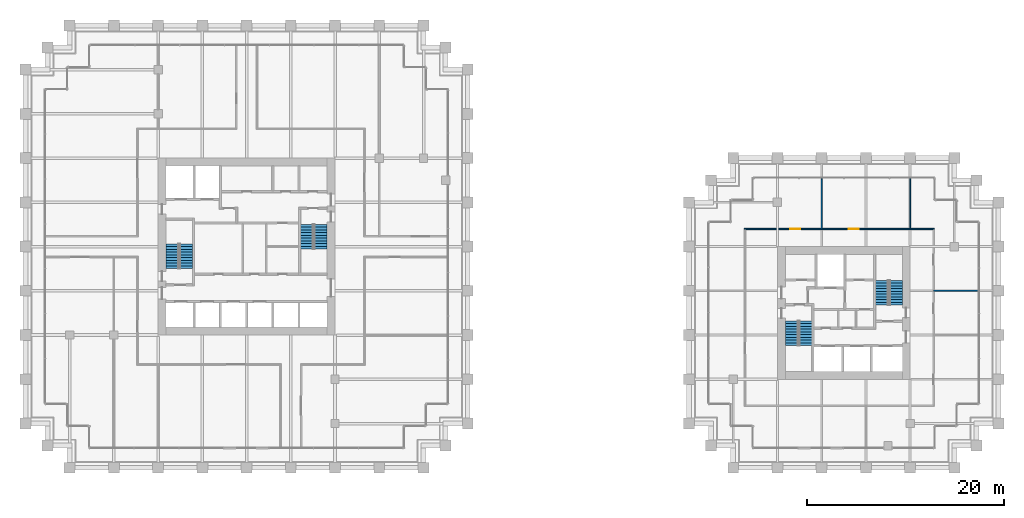
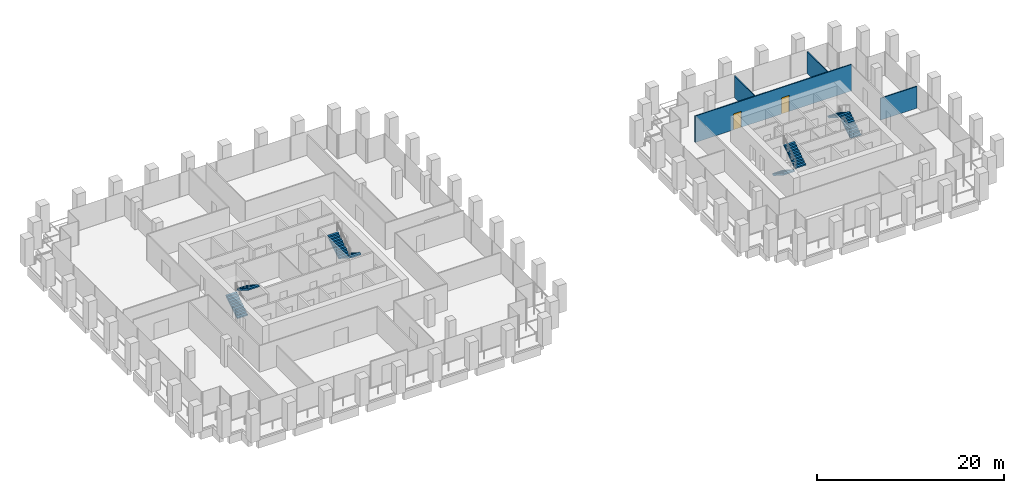
# One storey, part 53 of 54: 8 stair flights, 4 walls, 2 doors, 2 openings, 4 elements without a shape of their own.
"""IFC4 building model written with IfcOpenShell, lengths in metres."""

from ifc_helpers import new_model, si_unit, direction, frame, frame_2d, origin, place, context, subcontext, project, spatial, polyline, rectangle, outline, extrude, material, layer, layer_set, type_object, element, fill, aggregate, save


model = new_model("IFC4")

# Units and contexts
model_context = context("Model", 3, precision=1e-05, world=origin(), true_north=direction((0.0, 1.0)))
body_context = subcontext(model_context, "Body", "Model", "MODEL_VIEW")
ifc_project = project(units=[si_unit("LENGTHUNIT", "METRE"), si_unit("AREAUNIT", "SQUARE_METRE"), si_unit("VOLUMEUNIT", "CUBIC_METRE"), si_unit("PLANEANGLEUNIT", "RADIAN"), si_unit("MASSUNIT", "GRAM", prefix="KILO")], contexts=[model_context])

# Site, building, storey
site_placement = place(None, origin())
site = spatial("IfcSite", under=ifc_project, at=site_placement, CompositionType="ELEMENT")
building_placement = place(site_placement, origin())
building = spatial("IfcBuilding", under=site, at=building_placement, Name="Altepetl Exchange Towers", CompositionType="ELEMENT")
storey_placement = place(building_placement, frame((0.0, 0.0, 61.800048828125)))
storey = spatial("IfcBuildingStorey", under=building, at=storey_placement, Name="L14", CompositionType="ELEMENT", Elevation=61.800048828125)

# Wall
ifc_material_1 = material(Name="Gypsum board on steel studs", Category="steel")
ifc_layer = layer(ifc_material_1, 0.125)
ifc_layer_set = layer_set([ifc_layer], Name="Gypsum board on steel studs")
wall_type = type_object("IfcWallType", Name="Partition 125 gypsum board on steel studs", PredefinedType="PARTITIONING", material=ifc_layer_set)
wall_1_placement = place(storey_placement, frame((119.39990234375, 45.0, 0.0)))
element("IfcWall", 1, at=wall_1_placement, inside=storey, type_object=wall_type, Name="wall:B:L14:P04", PredefinedType="PARTITIONING", context=body_context, shape_type="SweptSolid", body=[
    extrude(rectangle(XDim=4.5, YDim=0.125, at=frame_2d((2.25, 0.0))), origin(), (0.0, 0.0, 1.0), 2.850830078125),
])

# Wall, openings, doors
wall_2_placement = place(storey_placement, frame((100.137451171875, 51.300048828125, 0.0)))
wall_2 = element("IfcWall", 2, at=wall_2_placement, inside=storey, type_object=wall_type, Name="wall:B:L14:P05", PredefinedType="PARTITIONING", context=body_context, shape_type="SweptSolid", body=[
    extrude(rectangle(XDim=19.324951171875, YDim=0.125, at=frame_2d((9.66259765625, 0.0))), origin(), (0.0, 0.0, 1.0), 3.449951171875),
])
opening_1_placement = place(wall_2_placement, frame((10.619384765625, 0.0, 0.0)))
opening_1 = element("IfcOpeningElement", 3, at=opening_1_placement, cuts=wall_2, Name="Opening L14.B05", PredefinedType="OPENING", context=body_context, shape_type="SweptSolid", body=[
    extrude(rectangle(XDim=1.0, YDim=2.10009765625, at=frame_2d((0.5, 1.050048828125))), frame((0.0, 0.072509765625, 0.0), z_axis=(0.0, -1.0, 0.0), x_axis=(1.0, 0.0, 0.0)), (0.0, 0.0, 1.0), 0.14501953125),
])
opening_2_placement = place(wall_2_placement, frame((4.6904296875, 0.0, 0.0)))
opening_2 = element("IfcOpeningElement", 4, at=opening_2_placement, cuts=wall_2, Name="Opening L14.B06", PredefinedType="OPENING", context=body_context, shape_type="SweptSolid", body=[
    extrude(rectangle(XDim=1.0, YDim=2.10009765625, at=frame_2d((0.5, 1.050048828125))), frame((0.0, 0.072509765625, 0.0), z_axis=(0.0, -1.0, 0.0), x_axis=(1.0, 0.0, 0.0)), (0.0, 0.0, 1.0), 0.14501953125),
])
ifc_material_2 = material(Name="Steel and timber fire door", Category="steel")
door_type = type_object("IfcDoorType", Name="Fire door 1000 x 2100 single leaf", OperationType="SINGLE_SWING_LEFT", PredefinedType="DOOR", material=ifc_material_2)
door_1_placement = place(opening_1_placement, origin())
door_1 = element("IfcDoor", 5, at=door_1_placement, inside=storey, type_object=door_type, Name="door:B:L14:05", OperationType="SINGLE_SWING_LEFT", OverallHeight=2.10009765625, OverallWidth=1.0, PredefinedType="DOOR", context=body_context, shape_type="SweptSolid", body=[
    extrude(rectangle(XDim=1.0, YDim=2.10009765625, at=frame_2d((0.5, 1.050048828125))), frame((0.0, 0.02490234375, 0.0), z_axis=(0.0, -1.0, 0.0), x_axis=(1.0, 0.0, 0.0)), (0.0, 0.0, 1.0), 0.050048828125),
])
fill(opening_1, door_1)
door_2_placement = place(opening_2_placement, frame((1.0, 0.0, 0.0), x_axis=(-1.0, 0.0, 0.0)))
door_2 = element("IfcDoor", 6, at=door_2_placement, inside=storey, type_object=door_type, Name="door:B:L14:06", OperationType="SINGLE_SWING_RIGHT", OverallHeight=2.10009765625, OverallWidth=1.0, PredefinedType="DOOR", context=body_context, shape_type="SweptSolid", body=[
    extrude(rectangle(XDim=1.0, YDim=2.10009765625, at=frame_2d((0.5, 1.050048828125))), frame((0.0, 0.02490234375, 0.0), z_axis=(0.0, -1.0, 0.0), x_axis=(1.0, 0.0, 0.0)), (0.0, 0.0, 1.0), 0.050048828125),
])
fill(opening_2, door_2)

# Walls
for number, where, z_axis, x_axis, name in (
    (7, (108.0, 51.300048828125, 0.0), (0.0, 0.0, 1.0), (0.0, 1.0, 0.0), "wall:B:L14:P07"),
    (8, (117.0, 51.300048828125, 0.0), (0.0, 0.0, 1.0), (0.0, 1.0, 0.0), "wall:B:L14:P09"),
):
    element("IfcWall", number, at=place(storey_placement, frame(where, z_axis=z_axis, x_axis=x_axis)), inside=storey, type_object=wall_type, Name=name, PredefinedType="PARTITIONING", context=body_context, shape_type="SweptSolid", body=[
        extrude(rectangle(XDim=5.099853515625, YDim=0.125, at=frame_2d((2.5498046875, 0.0))), origin(), (0.0, 0.0, 1.0), 2.850830078125),
    ])

# Stair, stair flights
ifc_material_3 = material(Name="Concrete C40/50", Category="concrete")
stair_type = type_object("IfcStairType", Name="Exit stair 1300 flights dogleg", PredefinedType="HALF_TURN_STAIR", material=ifc_material_3)
stair_1_placement = place(storey_placement, origin())
stair_1 = element("IfcStair", 9, at=stair_1_placement, inside=storey, type_object=stair_type, Name="Exit stair 1", PredefinedType="HALF_TURN_STAIR")
stair_flight_type = type_object("IfcStairFlightType", Name="Stair flight 1300 wide", PredefinedType="STRAIGHT", material=ifc_material_3)
stair_flight_1_placement = place(storey_placement, frame((41.949951171875, 47.25, 0.0), z_axis=(0.0, 0.0, 1.0), x_axis=(0.0, 1.0, 0.0)))
stair_flight_1 = element("IfcStairFlight", 10, at=stair_flight_1_placement, type_object=stair_flight_type, Name="ST-A1c flight 1", NumberOfRisers=10, NumberOfTreads=9, PredefinedType="STRAIGHT", RiserHeight=0.18, TreadLength=0.28, context=body_context, shape_type="SweptSolid", body=[
    extrude(outline(polyline([(0.0, 0.0), (0.0, 0.179931640625), (0.280029296875, 0.179931640625), (0.280029296875, 0.360107421875), (0.56005859375, 0.360107421875), (0.56005859375, 0.5400390625), (0.840087890625, 0.5400390625), (0.840087890625, 0.719970703125), (1.1201171875, 0.719970703125), (1.1201171875, 0.89990234375), (1.39990234375, 0.89990234375), (1.39990234375, 1.080078125), (1.679931640625, 1.080078125), (1.679931640625, 1.260009765625), (1.9599609375, 1.260009765625), (1.9599609375, 1.43994140625), (2.239990234375, 1.43994140625), (2.239990234375, 1.6201171875), (2.52001953125, 1.6201171875), (2.52001953125, 1.800048828125), (2.52001953125, 1.44189453125), (0.277099609375, 0.0), (0.0, 0.0)])), frame((0.0, 0.64990234375, 0.0), z_axis=(0.0, -1.0, 0.0), x_axis=(1.0, 0.0, 0.0)), (0.0, 0.0, 1.0), 1.300048828125),
])
stair_flight_2_placement = place(storey_placement, frame((43.35009765625, 49.77001953125, 1.800048828125), z_axis=(0.0, 0.0, 1.0), x_axis=(0.0, -1.0, 0.0)))
stair_flight_2 = element("IfcStairFlight", 11, at=stair_flight_2_placement, type_object=stair_flight_type, Name="ST-A1c flight 2", NumberOfRisers=10, NumberOfTreads=9, PredefinedType="STRAIGHT", RiserHeight=0.18, TreadLength=0.28, context=body_context, shape_type="SweptSolid", body=[
    extrude(outline(polyline([(0.0, 0.0), (0.0, 0.179931640625), (0.280029296875, 0.179931640625), (0.280029296875, 0.360107421875), (0.56005859375, 0.360107421875), (0.56005859375, 0.5400390625), (0.840087890625, 0.5400390625), (0.840087890625, 0.719970703125), (1.1201171875, 0.719970703125), (1.1201171875, 0.89990234375), (1.39990234375, 0.89990234375), (1.39990234375, 1.080078125), (1.679931640625, 1.080078125), (1.679931640625, 1.260009765625), (1.9599609375, 1.260009765625), (1.9599609375, 1.43994140625), (2.239990234375, 1.43994140625), (2.239990234375, 1.6201171875), (2.52001953125, 1.6201171875), (2.52001953125, 1.800048828125), (2.52001953125, 1.44189453125), (0.277099609375, 0.0), (0.0, 0.0)])), frame((0.0, 0.64990234375, 0.0), z_axis=(0.0, -1.0, 0.0), x_axis=(1.0, 0.0, 0.0)), (0.0, 0.0, 1.0), 1.300048828125),
])
aggregate(stair_1, [stair_flight_1, stair_flight_2])

stair_2_placement = place(storey_placement, origin())
stair_2 = element("IfcStair", 12, at=stair_2_placement, inside=storey, type_object=stair_type, Name="Exit stair 2", PredefinedType="HALF_TURN_STAIR")
stair_flight_3_placement = place(storey_placement, frame((57.050048828125, 51.75, 0.0), z_axis=(0.0, 0.0, 1.0), x_axis=(0.0, -1.0, 0.0)))
stair_flight_3 = element("IfcStairFlight", 13, at=stair_flight_3_placement, type_object=stair_flight_type, Name="ST-A2c flight 1", NumberOfRisers=10, NumberOfTreads=9, PredefinedType="STRAIGHT", RiserHeight=0.18, TreadLength=0.28, context=body_context, shape_type="SweptSolid", body=[
    extrude(outline(polyline([(0.0, 0.0), (0.0, 0.179931640625), (0.280029296875, 0.179931640625), (0.280029296875, 0.360107421875), (0.56005859375, 0.360107421875), (0.56005859375, 0.5400390625), (0.840087890625, 0.5400390625), (0.840087890625, 0.719970703125), (1.1201171875, 0.719970703125), (1.1201171875, 0.89990234375), (1.39990234375, 0.89990234375), (1.39990234375, 1.080078125), (1.679931640625, 1.080078125), (1.679931640625, 1.260009765625), (1.9599609375, 1.260009765625), (1.9599609375, 1.43994140625), (2.239990234375, 1.43994140625), (2.239990234375, 1.6201171875), (2.52001953125, 1.6201171875), (2.52001953125, 1.800048828125), (2.52001953125, 1.44189453125), (0.277099609375, 0.0), (0.0, 0.0)])), frame((0.0, 0.64990234375, 0.0), z_axis=(0.0, -1.0, 0.0), x_axis=(1.0, 0.0, 0.0)), (0.0, 0.0, 1.0), 1.300048828125),
])
stair_flight_4_placement = place(storey_placement, frame((55.64990234375, 49.22998046875, 1.800048828125), z_axis=(0.0, 0.0, 1.0), x_axis=(0.0, 1.0, 0.0)))
stair_flight_4 = element("IfcStairFlight", 14, at=stair_flight_4_placement, type_object=stair_flight_type, Name="ST-A2c flight 2", NumberOfRisers=10, NumberOfTreads=9, PredefinedType="STRAIGHT", RiserHeight=0.18, TreadLength=0.28, context=body_context, shape_type="SweptSolid", body=[
    extrude(outline(polyline([(0.0, 0.0), (0.0, 0.179931640625), (0.280029296875, 0.179931640625), (0.280029296875, 0.360107421875), (0.56005859375, 0.360107421875), (0.56005859375, 0.5400390625), (0.840087890625, 0.5400390625), (0.840087890625, 0.719970703125), (1.1201171875, 0.719970703125), (1.1201171875, 0.89990234375), (1.39990234375, 0.89990234375), (1.39990234375, 1.080078125), (1.679931640625, 1.080078125), (1.679931640625, 1.260009765625), (1.9599609375, 1.260009765625), (1.9599609375, 1.43994140625), (2.239990234375, 1.43994140625), (2.239990234375, 1.6201171875), (2.52001953125, 1.6201171875), (2.52001953125, 1.800048828125), (2.52001953125, 1.44189453125), (0.277099609375, 0.0), (0.0, 0.0)])), frame((0.0, 0.64990234375, 0.0), z_axis=(0.0, -1.0, 0.0), x_axis=(1.0, 0.0, 0.0)), (0.0, 0.0, 1.0), 1.300048828125),
])
aggregate(stair_2, [stair_flight_3, stair_flight_4])

stair_3_placement = place(storey_placement, origin())
stair_3 = element("IfcStair", 15, at=stair_3_placement, inside=storey, type_object=stair_type, Name="Exit stair 1", PredefinedType="HALF_TURN_STAIR")
stair_flight_5_placement = place(storey_placement, frame((104.949951171875, 41.949951171875, 0.0), z_axis=(0.0, 0.0, 1.0), x_axis=(0.0, -1.0, 0.0)))
stair_flight_5 = element("IfcStairFlight", 16, at=stair_flight_5_placement, type_object=stair_flight_type, Name="ST-B1c flight 1", NumberOfRisers=10, NumberOfTreads=9, PredefinedType="STRAIGHT", RiserHeight=0.18, TreadLength=0.28, context=body_context, shape_type="SweptSolid", body=[
    extrude(outline(polyline([(0.0, 0.0), (0.0, 0.179931640625), (0.280029296875, 0.179931640625), (0.280029296875, 0.360107421875), (0.56005859375, 0.360107421875), (0.56005859375, 0.5400390625), (0.840087890625, 0.5400390625), (0.840087890625, 0.719970703125), (1.1201171875, 0.719970703125), (1.1201171875, 0.89990234375), (1.39990234375, 0.89990234375), (1.39990234375, 1.080078125), (1.679931640625, 1.080078125), (1.679931640625, 1.260009765625), (1.9599609375, 1.260009765625), (1.9599609375, 1.43994140625), (2.239990234375, 1.43994140625), (2.239990234375, 1.6201171875), (2.52001953125, 1.6201171875), (2.52001953125, 1.800048828125), (2.52001953125, 1.44189453125), (0.277099609375, 0.0), (0.0, 0.0)])), frame((0.0, 0.64990234375, 0.0), z_axis=(0.0, -1.0, 0.0), x_axis=(1.0, 0.0, 0.0)), (0.0, 0.0, 1.0), 1.300048828125),
])
stair_flight_6_placement = place(storey_placement, frame((106.35009765625, 39.429931640625, 1.800048828125), z_axis=(0.0, 0.0, 1.0), x_axis=(0.0, 1.0, 0.0)))
stair_flight_6 = element("IfcStairFlight", 17, at=stair_flight_6_placement, type_object=stair_flight_type, Name="ST-B1c flight 2", NumberOfRisers=10, NumberOfTreads=9, PredefinedType="STRAIGHT", RiserHeight=0.18, TreadLength=0.28, context=body_context, shape_type="SweptSolid", body=[
    extrude(outline(polyline([(0.0, 0.0), (0.0, 0.179931640625), (0.280029296875, 0.179931640625), (0.280029296875, 0.360107421875), (0.56005859375, 0.360107421875), (0.56005859375, 0.5400390625), (0.840087890625, 0.5400390625), (0.840087890625, 0.719970703125), (1.1201171875, 0.719970703125), (1.1201171875, 0.89990234375), (1.39990234375, 0.89990234375), (1.39990234375, 1.080078125), (1.679931640625, 1.080078125), (1.679931640625, 1.260009765625), (1.9599609375, 1.260009765625), (1.9599609375, 1.43994140625), (2.239990234375, 1.43994140625), (2.239990234375, 1.6201171875), (2.52001953125, 1.6201171875), (2.52001953125, 1.800048828125), (2.52001953125, 1.44189453125), (0.277099609375, 0.0), (0.0, 0.0)])), frame((0.0, 0.64990234375, 0.0), z_axis=(0.0, -1.0, 0.0), x_axis=(1.0, 0.0, 0.0)), (0.0, 0.0, 1.0), 1.300048828125),
])
aggregate(stair_3, [stair_flight_5, stair_flight_6])

stair_4_placement = place(storey_placement, origin())
stair_4 = element("IfcStair", 18, at=stair_4_placement, inside=storey, type_object=stair_type, Name="Exit stair 2", PredefinedType="HALF_TURN_STAIR")
stair_flight_7_placement = place(storey_placement, frame((115.550048828125, 43.550048828125, 0.0), z_axis=(0.0, 0.0, 1.0), x_axis=(0.0, 1.0, 0.0)))
stair_flight_7 = element("IfcStairFlight", 19, at=stair_flight_7_placement, type_object=stair_flight_type, Name="ST-B2c flight 1", NumberOfRisers=10, NumberOfTreads=9, PredefinedType="STRAIGHT", RiserHeight=0.18, TreadLength=0.28, context=body_context, shape_type="SweptSolid", body=[
    extrude(outline(polyline([(0.0, 0.0), (0.0, 0.179931640625), (0.280029296875, 0.179931640625), (0.280029296875, 0.360107421875), (0.56005859375, 0.360107421875), (0.56005859375, 0.5400390625), (0.840087890625, 0.5400390625), (0.840087890625, 0.719970703125), (1.1201171875, 0.719970703125), (1.1201171875, 0.89990234375), (1.39990234375, 0.89990234375), (1.39990234375, 1.080078125), (1.679931640625, 1.080078125), (1.679931640625, 1.260009765625), (1.9599609375, 1.260009765625), (1.9599609375, 1.43994140625), (2.239990234375, 1.43994140625), (2.239990234375, 1.6201171875), (2.52001953125, 1.6201171875), (2.52001953125, 1.800048828125), (2.52001953125, 1.44189453125), (0.277099609375, 0.0), (0.0, 0.0)])), frame((0.0, 0.64990234375, 0.0), z_axis=(0.0, -1.0, 0.0), x_axis=(1.0, 0.0, 0.0)), (0.0, 0.0, 1.0), 1.300048828125),
])
stair_flight_8_placement = place(storey_placement, frame((114.14990234375, 46.070068359375, 1.800048828125), z_axis=(0.0, 0.0, 1.0), x_axis=(0.0, -1.0, 0.0)))
stair_flight_8 = element("IfcStairFlight", 20, at=stair_flight_8_placement, type_object=stair_flight_type, Name="ST-B2c flight 2", NumberOfRisers=10, NumberOfTreads=9, PredefinedType="STRAIGHT", RiserHeight=0.18, TreadLength=0.28, context=body_context, shape_type="SweptSolid", body=[
    extrude(outline(polyline([(0.0, 0.0), (0.0, 0.179931640625), (0.280029296875, 0.179931640625), (0.280029296875, 0.360107421875), (0.56005859375, 0.360107421875), (0.56005859375, 0.5400390625), (0.840087890625, 0.5400390625), (0.840087890625, 0.719970703125), (1.1201171875, 0.719970703125), (1.1201171875, 0.89990234375), (1.39990234375, 0.89990234375), (1.39990234375, 1.080078125), (1.679931640625, 1.080078125), (1.679931640625, 1.260009765625), (1.9599609375, 1.260009765625), (1.9599609375, 1.43994140625), (2.239990234375, 1.43994140625), (2.239990234375, 1.6201171875), (2.52001953125, 1.6201171875), (2.52001953125, 1.800048828125), (2.52001953125, 1.44189453125), (0.277099609375, 0.0), (0.0, 0.0)])), frame((0.0, 0.64990234375, 0.0), z_axis=(0.0, -1.0, 0.0), x_axis=(1.0, 0.0, 0.0)), (0.0, 0.0, 1.0), 1.300048828125),
])
aggregate(stair_4, [stair_flight_7, stair_flight_8])

save(model, "model.ifc")
